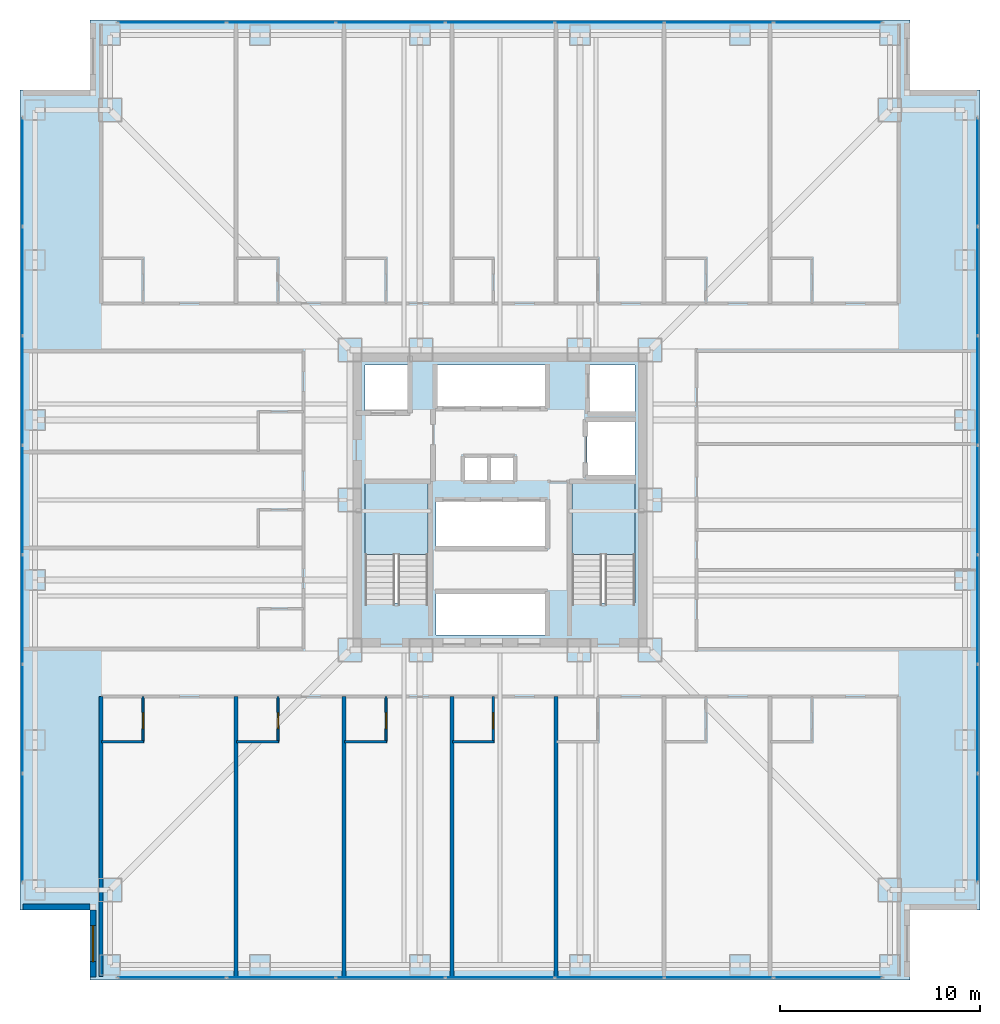
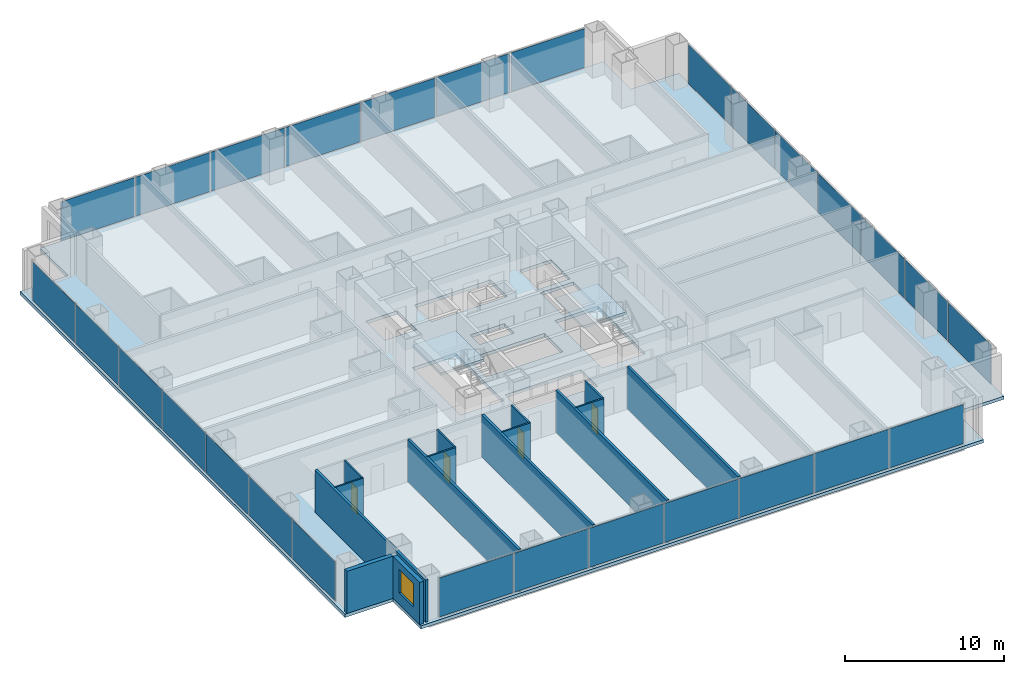
# One storey, part 10 of 17: 28 plates, 15 walls, 4 doors, 3 slabs, 1 window, 5 openings, 6 elements without a shape of their own.
"""IFC4 building model written with IfcOpenShell, lengths in metres."""

from ifc_helpers import new_model, si_unit, direction, frame, frame_2d, origin, origin_2d, place, context, subcontext, project, spatial, polyline, rectangle, outline, extrude, material, layer, layer_set, type_object, element, fill, aggregate, save


model = new_model("IFC4")

# Units and contexts
model_context = context("Model", 3, precision=1e-05, world=origin(), true_north=direction((0.0, 1.0)))
body_context = subcontext(model_context, "Body", "Model", "MODEL_VIEW")
ifc_project = project(units=[si_unit("LENGTHUNIT", "METRE"), si_unit("AREAUNIT", "SQUARE_METRE"), si_unit("VOLUMEUNIT", "CUBIC_METRE"), si_unit("PLANEANGLEUNIT", "RADIAN"), si_unit("MASSUNIT", "GRAM", prefix="KILO")], contexts=[model_context])

# Site, building, storey
site_placement = place(None, origin())
site = spatial("IfcSite", under=ifc_project, at=site_placement, CompositionType="ELEMENT")
building_placement = place(site_placement, origin())
building = spatial("IfcBuilding", under=site, at=building_placement, Name="Trevonay Congress Spire", CompositionType="ELEMENT")
storey_placement = place(building_placement, frame((0.0, 0.0, 30.5)))
storey = spatial("IfcBuildingStorey", under=building, at=storey_placement, Name="L06", CompositionType="ELEMENT", Elevation=30.5)

# Curtain wall, plates
ifc_material_1 = material(Name="Pale Anodised Aluminium EN AW-6063-T6", Category="aluminium")
ifc_layer_1 = layer(ifc_material_1, 0.179931640625, Name="Pale Anodised Aluminium EN AW-6063-T6")
ifc_layer_set_1 = layer_set([ifc_layer_1], Name="Pale Anodised Aluminium EN AW-6063-T6")
curtain_wall_type = type_object("IfcCurtainWallType", Name="CW-SYS02-HOTEL-PALE-METAL", PredefinedType="NOTDEFINED", material=ifc_layer_set_1)
curtain_wall_1_placement = place(storey_placement, origin())
curtain_wall_1 = element("IfcCurtainWall", 1, at=curtain_wall_1_placement, inside=storey, type_object=curtain_wall_type, Name="L06 S unitised curtain wall", PredefinedType="NOTDEFINED")
ifc_material_2 = material(Name="Insulated Low-E Vision Glass IGU", Category="glass")
ifc_layer_2 = layer(ifc_material_2, 0.035888671875, Name="Insulated Low-E Vision Glass IGU")
ifc_layer_set_2 = layer_set([ifc_layer_2], Name="Insulated Low-E Vision Glass IGU")
plate_type = type_object("IfcPlateType", Name="CW-PANEL-IGU36-SILVER", PredefinedType="CURTAIN_PANEL", material=ifc_layer_set_2)
plate_1_placement = place(storey_placement, frame((-16.399169921875, -23.8798828125, 0.1201171875), z_axis=(0.0, 0.0, 1.0), x_axis=(1.0, 0.0, 0.0)))
plate_1 = element("IfcPlate", 2, at=plate_1_placement, type_object=plate_type, Name="CW02 panel 1.1", PredefinedType="CURTAIN_PANEL", context=body_context, shape_type="SweptSolid", body=[
    extrude(rectangle(XDim=5.38134765625, YDim=0.035888671875, at=origin_2d()), origin(), (0.0, 0.0, 1.0), 3.010009765625),
])
plate_2_placement = place(storey_placement, frame((-10.94287109375, -23.8798828125, 0.1201171875), z_axis=(0.0, 0.0, 1.0), x_axis=(1.0, 0.0, 0.0)))
plate_2 = element("IfcPlate", 3, at=plate_2_placement, type_object=plate_type, Name="CW02 panel 2.1", PredefinedType="CURTAIN_PANEL", context=body_context, shape_type="SweptSolid", body=[
    extrude(rectangle(XDim=5.411376953125, YDim=0.035888671875, at=origin_2d()), origin(), (0.0, 0.0, 1.0), 3.010009765625),
])
plate_3_placement = place(storey_placement, frame((-5.471435546875, -23.8798828125, 0.1201171875), z_axis=(0.0, 0.0, 1.0), x_axis=(1.0, 0.0, 0.0)))
plate_3 = element("IfcPlate", 4, at=plate_3_placement, type_object=plate_type, Name="CW02 panel 3.1", PredefinedType="CURTAIN_PANEL", context=body_context, shape_type="SweptSolid", body=[
    extrude(rectangle(XDim=5.411376953125, YDim=0.035888671875, at=origin_2d()), origin(), (0.0, 0.0, 1.0), 3.010009765625),
])
plate_4_placement = place(storey_placement, frame((0.0, -23.8798828125, 0.1201171875), z_axis=(0.0, 0.0, 1.0), x_axis=(1.0, 0.0, 0.0)))
plate_4 = element("IfcPlate", 5, at=plate_4_placement, type_object=plate_type, Name="CW02 panel 4.1", PredefinedType="CURTAIN_PANEL", context=body_context, shape_type="SweptSolid", body=[
    extrude(rectangle(XDim=5.411376953125, YDim=0.035888671875, at=origin_2d()), origin(), (0.0, 0.0, 1.0), 3.010009765625),
])
plate_5_placement = place(storey_placement, frame((5.471435546875, -23.8798828125, 0.1201171875), z_axis=(0.0, 0.0, 1.0), x_axis=(1.0, 0.0, 0.0)))
plate_5 = element("IfcPlate", 6, at=plate_5_placement, type_object=plate_type, Name="CW02 panel 5.1", PredefinedType="CURTAIN_PANEL", context=body_context, shape_type="SweptSolid", body=[
    extrude(rectangle(XDim=5.411376953125, YDim=0.035888671875, at=origin_2d()), origin(), (0.0, 0.0, 1.0), 3.010009765625),
])
plate_6_placement = place(storey_placement, frame((10.94287109375, -23.8798828125, 0.1201171875), z_axis=(0.0, 0.0, 1.0), x_axis=(1.0, 0.0, 0.0)))
plate_6 = element("IfcPlate", 7, at=plate_6_placement, type_object=plate_type, Name="CW02 panel 6.1", PredefinedType="CURTAIN_PANEL", context=body_context, shape_type="SweptSolid", body=[
    extrude(rectangle(XDim=5.411376953125, YDim=0.035888671875, at=origin_2d()), origin(), (0.0, 0.0, 1.0), 3.010009765625),
])
plate_7_placement = place(storey_placement, frame((16.399169921875, -23.8798828125, 0.1201171875), z_axis=(0.0, 0.0, 1.0), x_axis=(1.0, 0.0, 0.0)))
plate_7 = element("IfcPlate", 8, at=plate_7_placement, type_object=plate_type, Name="CW02 panel 7.1", PredefinedType="CURTAIN_PANEL", context=body_context, shape_type="SweptSolid", body=[
    extrude(rectangle(XDim=5.38134765625, YDim=0.035888671875, at=origin_2d()), origin(), (0.0, 0.0, 1.0), 3.010009765625),
])
aggregate(curtain_wall_1, [plate_1, plate_2, plate_3, plate_4, plate_5, plate_6, plate_7])

curtain_wall_2_placement = place(storey_placement, origin())
curtain_wall_2 = element("IfcCurtainWall", 9, at=curtain_wall_2_placement, inside=storey, type_object=curtain_wall_type, Name="L06 N unitised curtain wall", PredefinedType="NOTDEFINED")
plate_8_placement = place(storey_placement, frame((-16.399169921875, 23.8798828125, 0.1201171875), z_axis=(0.0, 0.0, 1.0), x_axis=(1.0, 0.0, 0.0)))
plate_8 = element("IfcPlate", 10, at=plate_8_placement, type_object=plate_type, Name="CW02 panel 1.1", PredefinedType="CURTAIN_PANEL", context=body_context, shape_type="SweptSolid", body=[
    extrude(rectangle(XDim=5.38134765625, YDim=0.035888671875, at=origin_2d()), origin(), (0.0, 0.0, 1.0), 3.010009765625),
])
plate_9_placement = place(storey_placement, frame((-10.94287109375, 23.8798828125, 0.1201171875), z_axis=(0.0, 0.0, 1.0), x_axis=(1.0, 0.0, 0.0)))
plate_9 = element("IfcPlate", 11, at=plate_9_placement, type_object=plate_type, Name="CW02 panel 2.1", PredefinedType="CURTAIN_PANEL", context=body_context, shape_type="SweptSolid", body=[
    extrude(rectangle(XDim=5.411376953125, YDim=0.035888671875, at=origin_2d()), origin(), (0.0, 0.0, 1.0), 3.010009765625),
])
plate_10_placement = place(storey_placement, frame((-5.471435546875, 23.8798828125, 0.1201171875), z_axis=(0.0, 0.0, 1.0), x_axis=(1.0, 0.0, 0.0)))
plate_10 = element("IfcPlate", 12, at=plate_10_placement, type_object=plate_type, Name="CW02 panel 3.1", PredefinedType="CURTAIN_PANEL", context=body_context, shape_type="SweptSolid", body=[
    extrude(rectangle(XDim=5.411376953125, YDim=0.035888671875, at=origin_2d()), origin(), (0.0, 0.0, 1.0), 3.010009765625),
])
plate_11_placement = place(storey_placement, frame((0.0, 23.8798828125, 0.1201171875), z_axis=(0.0, 0.0, 1.0), x_axis=(1.0, 0.0, 0.0)))
plate_11 = element("IfcPlate", 13, at=plate_11_placement, type_object=plate_type, Name="CW02 panel 4.1", PredefinedType="CURTAIN_PANEL", context=body_context, shape_type="SweptSolid", body=[
    extrude(rectangle(XDim=5.411376953125, YDim=0.035888671875, at=origin_2d()), origin(), (0.0, 0.0, 1.0), 3.010009765625),
])
plate_12_placement = place(storey_placement, frame((5.471435546875, 23.8798828125, 0.1201171875), z_axis=(0.0, 0.0, 1.0), x_axis=(1.0, 0.0, 0.0)))
plate_12 = element("IfcPlate", 14, at=plate_12_placement, type_object=plate_type, Name="CW02 panel 5.1", PredefinedType="CURTAIN_PANEL", context=body_context, shape_type="SweptSolid", body=[
    extrude(rectangle(XDim=5.411376953125, YDim=0.035888671875, at=origin_2d()), origin(), (0.0, 0.0, 1.0), 3.010009765625),
])
plate_13_placement = place(storey_placement, frame((10.94287109375, 23.8798828125, 0.1201171875), z_axis=(0.0, 0.0, 1.0), x_axis=(1.0, 0.0, 0.0)))
plate_13 = element("IfcPlate", 15, at=plate_13_placement, type_object=plate_type, Name="CW02 panel 6.1", PredefinedType="CURTAIN_PANEL", context=body_context, shape_type="SweptSolid", body=[
    extrude(rectangle(XDim=5.411376953125, YDim=0.035888671875, at=origin_2d()), origin(), (0.0, 0.0, 1.0), 3.010009765625),
])
plate_14_placement = place(storey_placement, frame((16.399169921875, 23.8798828125, 0.1201171875), z_axis=(0.0, 0.0, 1.0), x_axis=(1.0, 0.0, 0.0)))
plate_14 = element("IfcPlate", 16, at=plate_14_placement, type_object=plate_type, Name="CW02 panel 7.1", PredefinedType="CURTAIN_PANEL", context=body_context, shape_type="SweptSolid", body=[
    extrude(rectangle(XDim=5.38134765625, YDim=0.035888671875, at=origin_2d()), origin(), (0.0, 0.0, 1.0), 3.010009765625),
])
aggregate(curtain_wall_2, [plate_8, plate_9, plate_10, plate_11, plate_12, plate_13, plate_14])

curtain_wall_3_placement = place(storey_placement, origin())
curtain_wall_3 = element("IfcCurtainWall", 17, at=curtain_wall_3_placement, inside=storey, type_object=curtain_wall_type, Name="L06 W unitised curtain wall", PredefinedType="NOTDEFINED")
plate_15_placement = place(storey_placement, frame((-23.8798828125, -16.399169921875, 0.1201171875), z_axis=(0.0, 0.0, 1.0), x_axis=(0.0, 1.0, 0.0)))
plate_15 = element("IfcPlate", 18, at=plate_15_placement, type_object=plate_type, Name="CW02 panel 1.1", PredefinedType="CURTAIN_PANEL", context=body_context, shape_type="SweptSolid", body=[
    extrude(rectangle(XDim=5.38134765625, YDim=0.035888671875, at=origin_2d()), origin(), (0.0, 0.0, 1.0), 3.010009765625),
])
plate_16_placement = place(storey_placement, frame((-23.8798828125, -10.94287109375, 0.1201171875), z_axis=(0.0, 0.0, 1.0), x_axis=(0.0, 1.0, 0.0)))
plate_16 = element("IfcPlate", 19, at=plate_16_placement, type_object=plate_type, Name="CW02 panel 2.1", PredefinedType="CURTAIN_PANEL", context=body_context, shape_type="SweptSolid", body=[
    extrude(rectangle(XDim=5.411376953125, YDim=0.035888671875, at=origin_2d()), origin(), (0.0, 0.0, 1.0), 3.010009765625),
])
plate_17_placement = place(storey_placement, frame((-23.8798828125, -5.471435546875, 0.1201171875), z_axis=(0.0, 0.0, 1.0), x_axis=(0.0, 1.0, 0.0)))
plate_17 = element("IfcPlate", 20, at=plate_17_placement, type_object=plate_type, Name="CW02 panel 3.1", PredefinedType="CURTAIN_PANEL", context=body_context, shape_type="SweptSolid", body=[
    extrude(rectangle(XDim=5.411376953125, YDim=0.035888671875, at=origin_2d()), origin(), (0.0, 0.0, 1.0), 3.010009765625),
])
plate_18_placement = place(storey_placement, frame((-23.8798828125, 0.0, 0.1201171875), z_axis=(0.0, 0.0, 1.0), x_axis=(0.0, 1.0, 0.0)))
plate_18 = element("IfcPlate", 21, at=plate_18_placement, type_object=plate_type, Name="CW02 panel 4.1", PredefinedType="CURTAIN_PANEL", context=body_context, shape_type="SweptSolid", body=[
    extrude(rectangle(XDim=5.411376953125, YDim=0.035888671875, at=origin_2d()), origin(), (0.0, 0.0, 1.0), 3.010009765625),
])
plate_19_placement = place(storey_placement, frame((-23.8798828125, 5.471435546875, 0.1201171875), z_axis=(0.0, 0.0, 1.0), x_axis=(0.0, 1.0, 0.0)))
plate_19 = element("IfcPlate", 22, at=plate_19_placement, type_object=plate_type, Name="CW02 panel 5.1", PredefinedType="CURTAIN_PANEL", context=body_context, shape_type="SweptSolid", body=[
    extrude(rectangle(XDim=5.411376953125, YDim=0.035888671875, at=origin_2d()), origin(), (0.0, 0.0, 1.0), 3.010009765625),
])
plate_20_placement = place(storey_placement, frame((-23.8798828125, 10.94287109375, 0.1201171875), z_axis=(0.0, 0.0, 1.0), x_axis=(0.0, 1.0, 0.0)))
plate_20 = element("IfcPlate", 23, at=plate_20_placement, type_object=plate_type, Name="CW02 panel 6.1", PredefinedType="CURTAIN_PANEL", context=body_context, shape_type="SweptSolid", body=[
    extrude(rectangle(XDim=5.411376953125, YDim=0.035888671875, at=origin_2d()), origin(), (0.0, 0.0, 1.0), 3.010009765625),
])
plate_21_placement = place(storey_placement, frame((-23.8798828125, 16.399169921875, 0.1201171875), z_axis=(0.0, 0.0, 1.0), x_axis=(0.0, 1.0, 0.0)))
plate_21 = element("IfcPlate", 24, at=plate_21_placement, type_object=plate_type, Name="CW02 panel 7.1", PredefinedType="CURTAIN_PANEL", context=body_context, shape_type="SweptSolid", body=[
    extrude(rectangle(XDim=5.38134765625, YDim=0.035888671875, at=origin_2d()), origin(), (0.0, 0.0, 1.0), 3.010009765625),
])
aggregate(curtain_wall_3, [plate_15, plate_16, plate_17, plate_18, plate_19, plate_20, plate_21])

curtain_wall_4_placement = place(storey_placement, origin())
curtain_wall_4 = element("IfcCurtainWall", 25, at=curtain_wall_4_placement, inside=storey, type_object=curtain_wall_type, Name="L06 E unitised curtain wall", PredefinedType="NOTDEFINED")
plate_22_placement = place(storey_placement, frame((23.8798828125, -16.399169921875, 0.1201171875), z_axis=(0.0, 0.0, 1.0), x_axis=(0.0, 1.0, 0.0)))
plate_22 = element("IfcPlate", 26, at=plate_22_placement, type_object=plate_type, Name="CW02 panel 1.1", PredefinedType="CURTAIN_PANEL", context=body_context, shape_type="SweptSolid", body=[
    extrude(rectangle(XDim=5.38134765625, YDim=0.035888671875, at=origin_2d()), origin(), (0.0, 0.0, 1.0), 3.010009765625),
])
plate_23_placement = place(storey_placement, frame((23.8798828125, -10.94287109375, 0.1201171875), z_axis=(0.0, 0.0, 1.0), x_axis=(0.0, 1.0, 0.0)))
plate_23 = element("IfcPlate", 27, at=plate_23_placement, type_object=plate_type, Name="CW02 panel 2.1", PredefinedType="CURTAIN_PANEL", context=body_context, shape_type="SweptSolid", body=[
    extrude(rectangle(XDim=5.411376953125, YDim=0.035888671875, at=origin_2d()), origin(), (0.0, 0.0, 1.0), 3.010009765625),
])
plate_24_placement = place(storey_placement, frame((23.8798828125, -5.471435546875, 0.1201171875), z_axis=(0.0, 0.0, 1.0), x_axis=(0.0, 1.0, 0.0)))
plate_24 = element("IfcPlate", 28, at=plate_24_placement, type_object=plate_type, Name="CW02 panel 3.1", PredefinedType="CURTAIN_PANEL", context=body_context, shape_type="SweptSolid", body=[
    extrude(rectangle(XDim=5.411376953125, YDim=0.035888671875, at=origin_2d()), origin(), (0.0, 0.0, 1.0), 3.010009765625),
])
plate_25_placement = place(storey_placement, frame((23.8798828125, 0.0, 0.1201171875), z_axis=(0.0, 0.0, 1.0), x_axis=(0.0, 1.0, 0.0)))
plate_25 = element("IfcPlate", 29, at=plate_25_placement, type_object=plate_type, Name="CW02 panel 4.1", PredefinedType="CURTAIN_PANEL", context=body_context, shape_type="SweptSolid", body=[
    extrude(rectangle(XDim=5.411376953125, YDim=0.035888671875, at=origin_2d()), origin(), (0.0, 0.0, 1.0), 3.010009765625),
])
plate_26_placement = place(storey_placement, frame((23.8798828125, 5.471435546875, 0.1201171875), z_axis=(0.0, 0.0, 1.0), x_axis=(0.0, 1.0, 0.0)))
plate_26 = element("IfcPlate", 30, at=plate_26_placement, type_object=plate_type, Name="CW02 panel 5.1", PredefinedType="CURTAIN_PANEL", context=body_context, shape_type="SweptSolid", body=[
    extrude(rectangle(XDim=5.411376953125, YDim=0.035888671875, at=origin_2d()), origin(), (0.0, 0.0, 1.0), 3.010009765625),
])
plate_27_placement = place(storey_placement, frame((23.8798828125, 10.94287109375, 0.1201171875), z_axis=(0.0, 0.0, 1.0), x_axis=(0.0, 1.0, 0.0)))
plate_27 = element("IfcPlate", 31, at=plate_27_placement, type_object=plate_type, Name="CW02 panel 6.1", PredefinedType="CURTAIN_PANEL", context=body_context, shape_type="SweptSolid", body=[
    extrude(rectangle(XDim=5.411376953125, YDim=0.035888671875, at=origin_2d()), origin(), (0.0, 0.0, 1.0), 3.010009765625),
])
plate_28_placement = place(storey_placement, frame((23.8798828125, 16.399169921875, 0.1201171875), z_axis=(0.0, 0.0, 1.0), x_axis=(0.0, 1.0, 0.0)))
plate_28 = element("IfcPlate", 32, at=plate_28_placement, type_object=plate_type, Name="CW02 panel 7.1", PredefinedType="CURTAIN_PANEL", context=body_context, shape_type="SweptSolid", body=[
    extrude(rectangle(XDim=5.38134765625, YDim=0.035888671875, at=origin_2d()), origin(), (0.0, 0.0, 1.0), 3.010009765625),
])
aggregate(curtain_wall_4, [plate_22, plate_23, plate_24, plate_25, plate_26, plate_27, plate_28])

# Stair, slab
ifc_material_3 = material(Name="Concrete C40/50", Category="concrete")
stair_type_1 = type_object("IfcStairType", Name="STR-ST-1", PredefinedType="HALF_TURN_STAIR", material=ifc_material_3)
stair_1_placement = place(storey_placement, origin())
stair_1 = element("IfcStair", 33, at=stair_1_placement, inside=storey, type_object=stair_type_1, Name="L06 Protected Exit Stair ST-1", PredefinedType="HALF_TURN_STAIR")
ifc_layer_3 = layer(ifc_material_3, 0.199951171875, Name="Concrete C40/50")
ifc_layer_set_3 = layer_set([ifc_layer_3], Name="Concrete C40/50")
slab_type_1 = type_object("IfcSlabType", Name="SLB-STAIR-LAND-200", PredefinedType="LANDING", material=ifc_layer_set_3)
slab_1_placement = place(storey_placement, frame((0.0, 0.0, 1.550048828125)))
slab_1 = element("IfcSlab", 34, at=slab_1_placement, type_object=slab_type_1, Name="ST-1 landing 1", PredefinedType="LANDING", context=body_context, shape_type="SweptSolid", body=[
    extrude(outline(polyline([(-3.60009765625, -2.72998046875), (-3.60009765625, 0.85009765625), (-6.75, 0.85009765625), (-6.75, -2.72998046875), (-3.60009765625, -2.72998046875)])), origin(), (0.0, 0.0, 1.0), 0.199951171875),
])
aggregate(stair_1, [slab_1])

stair_type_2 = type_object("IfcStairType", Name="STR-ST-2", PredefinedType="HALF_TURN_STAIR", material=ifc_material_3)
stair_2_placement = place(storey_placement, origin())
stair_2 = element("IfcStair", 35, at=stair_2_placement, inside=storey, type_object=stair_type_2, Name="L06 Protected Exit Stair ST-2", PredefinedType="HALF_TURN_STAIR")
slab_2_placement = place(storey_placement, frame((0.0, 0.0, 1.550048828125)))
slab_2 = element("IfcSlab", 36, at=slab_2_placement, type_object=slab_type_1, Name="ST-2 landing 1", PredefinedType="LANDING", context=body_context, shape_type="SweptSolid", body=[
    extrude(outline(polyline([(6.75, -2.72998046875), (6.75, 0.85009765625), (3.60009765625, 0.85009765625), (3.60009765625, -2.72998046875), (6.75, -2.72998046875)])), origin(), (0.0, 0.0, 1.0), 0.199951171875),
])
aggregate(stair_2, [slab_2])

# Slab
ifc_layer_4 = layer(ifc_material_3, 0.25, Name="Concrete C40/50")
ifc_layer_set_4 = layer_set([ifc_layer_4], Name="Concrete C40/50")
slab_type_2 = type_object("IfcSlabType", Name="SLB-TOW1-250", PredefinedType="FLOOR", material=ifc_layer_set_4)
slab_3_placement = place(storey_placement, frame((0.0, 0.0, -0.25)))
element("IfcSlab", 37, at=slab_3_placement, inside=storey, type_object=slab_type_2, Name="L06 structural floor slab", PredefinedType="FLOOR", context=body_context, shape_type="SweptSolid", body=[
    extrude(outline(polyline([(-20.5, -24.0), (20.5, -24.0), (20.5, -20.5), (24.0, -20.5), (24.0, 20.5), (20.5, 20.5), (20.5, 24.0), (-20.5, 24.0), (-20.5, 20.5), (-24.0, 20.5), (-24.0, -20.5), (-20.5, -20.5), (-20.5, -24.0)]), holes=[polyline([(-3.60009765625, -5.14990234375), (-3.60009765625, 0.85009765625), (-6.75, 0.85009765625), (-6.75, -5.14990234375), (-3.60009765625, -5.14990234375)]), polyline([(6.75, -5.14990234375), (6.75, 0.85009765625), (3.60009765625, 0.85009765625), (3.60009765625, -5.14990234375), (6.75, -5.14990234375)]), polyline([(-3.199951171875, -6.75), (2.340087890625, -6.75), (2.340087890625, -4.64990234375), (-3.199951171875, -4.64990234375), (-3.199951171875, -6.75)]), polyline([(-3.199951171875, -2.35009765625), (2.340087890625, -2.35009765625), (2.340087890625, -0.050048828125), (-3.199951171875, -0.050048828125), (-3.199951171875, -2.35009765625)]), polyline([(-3.199951171875, 4.64990234375), (2.340087890625, 4.64990234375), (2.340087890625, 6.75), (-3.199951171875, 6.75), (-3.199951171875, 4.64990234375)]), polyline([(-6.75, 4.35009765625), (-4.449951171875, 4.35009765625), (-4.449951171875, 6.75), (-6.75, 6.75), (-6.75, 4.35009765625)]), polyline([(4.449951171875, 4.35009765625), (6.75, 4.35009765625), (6.75, 6.75), (4.449951171875, 6.75), (4.449951171875, 4.35009765625)]), polyline([(4.35009765625, 1.199951171875), (6.75, 1.199951171875), (6.75, 3.949951171875), (4.35009765625, 3.949951171875), (4.35009765625, 1.199951171875)]), polyline([(-1.800048828125, 0.949951171875), (0.699951171875, 0.949951171875), (0.699951171875, 2.14990234375), (-1.800048828125, 2.14990234375), (-1.800048828125, 0.949951171875)])]), origin(), (0.0, 0.0, 1.0), 0.25),
])

# Wall, opening, door
ifc_layer_5 = layer(ifc_material_3, 0.1201171875, Name="Concrete C40/50")
ifc_layer_set_5 = layer_set([ifc_layer_5], Name="Concrete C40/50")
wall_type_1 = type_object("IfcWallType", Name="WAL-BATH-120", PredefinedType="PLUMBINGWALL", material=ifc_layer_set_5)
wall_1_placement = place(storey_placement, frame((-17.85009765625, -12.080078125, 0.0), z_axis=(0.0, 0.0, 1.0), x_axis=(0.0, 1.0, 0.0)))
wall_1 = element("IfcWall", 38, at=wall_1_placement, inside=storey, type_object=wall_type_1, Name="L06 interior wall WH-L06S-BS1", PredefinedType="PLUMBINGWALL", context=body_context, shape_type="SweptSolid", body=[
    extrude(rectangle(XDim=2.25, YDim=0.1201171875, at=frame_2d((1.125, 0.0))), origin(), (0.0, 0.0, 1.0), 3.25),
])
opening_1_placement = place(wall_1_placement, frame((0.64990234375, 0.0, 0.0)))
opening_1 = element("IfcOpeningElement", 39, at=opening_1_placement, cuts=wall_1, Name="Opening D11", PredefinedType="OPENING", context=body_context, shape_type="SweptSolid", body=[
    extrude(rectangle(XDim=0.800048828125, YDim=2.050048828125, at=frame_2d((0.39990234375, 1.02490234375))), frame((0.0, 0.070068359375, 0.0), z_axis=(0.0, -1.0, 0.0), x_axis=(1.0, 0.0, 0.0)), (0.0, 0.0, 1.0), 0.14013671875),
])
door_type = type_object("IfcDoorType", Name="DOR-BATH-80", OperationType="NOTDEFINED", PredefinedType="DOOR", material=ifc_material_1)
door_1_placement = place(opening_1_placement, origin())
door_1 = element("IfcDoor", 40, at=door_1_placement, inside=storey, type_object=door_type, Name="L06 En-suite Bathroom Door", OperationType="SINGLE_SWING_LEFT", OverallHeight=2.050048828125, OverallWidth=0.800048828125, PredefinedType="DOOR", context=body_context, shape_type="SweptSolid", body=[
    extrude(rectangle(XDim=0.800048828125, YDim=2.050048828125, at=frame_2d((0.39990234375, 1.02490234375))), frame((0.0, 0.02490234375, 0.0), z_axis=(0.0, -1.0, 0.0), x_axis=(1.0, 0.0, 0.0)), (0.0, 0.0, 1.0), 0.050048828125),
])
fill(opening_1, door_1)

# Wall
wall_2_placement = place(storey_placement, frame((-19.919921875, -12.080078125, 0.0), z_axis=(0.0, 0.0, 1.0), x_axis=(1.0, 0.0, 0.0)))
element("IfcWall", 41, at=wall_2_placement, inside=storey, type_object=wall_type_1, Name="L06 interior wall WH-L06S-BF1", PredefinedType="PLUMBINGWALL", context=body_context, shape_type="SweptSolid", body=[
    extrude(rectangle(XDim=2.099853515625, YDim=0.1201171875, at=frame_2d((1.0498046875, 0.0))), origin(), (0.0, 0.0, 1.0), 3.25),
])

# Wall, opening, door
wall_3_placement = place(storey_placement, frame((-11.10009765625, -12.080078125, 0.0), z_axis=(0.0, 0.0, 1.0), x_axis=(0.0, 1.0, 0.0)))
wall_3 = element("IfcWall", 42, at=wall_3_placement, inside=storey, type_object=wall_type_1, Name="L06 interior wall WH-L06S-BS2", PredefinedType="PLUMBINGWALL", context=body_context, shape_type="SweptSolid", body=[
    extrude(rectangle(XDim=2.25, YDim=0.1201171875, at=frame_2d((1.125, 0.0))), origin(), (0.0, 0.0, 1.0), 3.25),
])
opening_2_placement = place(wall_3_placement, frame((0.64990234375, 0.0, 0.0)))
opening_2 = element("IfcOpeningElement", 43, at=opening_2_placement, cuts=wall_3, Name="Opening D11", PredefinedType="OPENING", context=body_context, shape_type="SweptSolid", body=[
    extrude(rectangle(XDim=0.800048828125, YDim=2.050048828125, at=frame_2d((0.39990234375, 1.02490234375))), frame((0.0, 0.070068359375, 0.0), z_axis=(0.0, -1.0, 0.0), x_axis=(1.0, 0.0, 0.0)), (0.0, 0.0, 1.0), 0.14013671875),
])
door_2_placement = place(opening_2_placement, origin())
door_2 = element("IfcDoor", 44, at=door_2_placement, inside=storey, type_object=door_type, Name="L06 En-suite Bathroom Door", OperationType="SINGLE_SWING_RIGHT", OverallHeight=2.050048828125, OverallWidth=0.800048828125, PredefinedType="DOOR", context=body_context, shape_type="SweptSolid", body=[
    extrude(rectangle(XDim=0.800048828125, YDim=2.050048828125, at=frame_2d((0.39990234375, 1.02490234375))), frame((0.0, 0.02490234375, 0.0), z_axis=(0.0, -1.0, 0.0), x_axis=(1.0, 0.0, 0.0)), (0.0, 0.0, 1.0), 0.050048828125),
])
fill(opening_2, door_2)

# Wall
wall_4_placement = place(storey_placement, frame((-13.169921875, -12.080078125, 0.0), z_axis=(0.0, 0.0, 1.0), x_axis=(1.0, 0.0, 0.0)))
element("IfcWall", 45, at=wall_4_placement, inside=storey, type_object=wall_type_1, Name="L06 interior wall WH-L06S-BF2", PredefinedType="PLUMBINGWALL", context=body_context, shape_type="SweptSolid", body=[
    extrude(rectangle(XDim=2.099853515625, YDim=0.1201171875, at=frame_2d((1.0498046875, 0.0))), origin(), (0.0, 0.0, 1.0), 3.25),
])

# Wall, opening, door
wall_5_placement = place(storey_placement, frame((-5.699951171875, -12.080078125, 0.0), z_axis=(0.0, 0.0, 1.0), x_axis=(0.0, 1.0, 0.0)))
wall_5 = element("IfcWall", 46, at=wall_5_placement, inside=storey, type_object=wall_type_1, Name="L06 interior wall WH-L06S-BS3", PredefinedType="PLUMBINGWALL", context=body_context, shape_type="SweptSolid", body=[
    extrude(rectangle(XDim=2.25, YDim=0.1201171875, at=frame_2d((1.125, 0.0))), origin(), (0.0, 0.0, 1.0), 3.25),
])
opening_3_placement = place(wall_5_placement, frame((0.64990234375, 0.0, 0.0)))
opening_3 = element("IfcOpeningElement", 47, at=opening_3_placement, cuts=wall_5, Name="Opening D11", PredefinedType="OPENING", context=body_context, shape_type="SweptSolid", body=[
    extrude(rectangle(XDim=0.800048828125, YDim=2.050048828125, at=frame_2d((0.39990234375, 1.02490234375))), frame((0.0, 0.070068359375, 0.0), z_axis=(0.0, -1.0, 0.0), x_axis=(1.0, 0.0, 0.0)), (0.0, 0.0, 1.0), 0.14013671875),
])
door_3_placement = place(opening_3_placement, origin())
door_3 = element("IfcDoor", 48, at=door_3_placement, inside=storey, type_object=door_type, Name="L06 En-suite Bathroom Door", OperationType="SINGLE_SWING_LEFT", OverallHeight=2.050048828125, OverallWidth=0.800048828125, PredefinedType="DOOR", context=body_context, shape_type="SweptSolid", body=[
    extrude(rectangle(XDim=0.800048828125, YDim=2.050048828125, at=frame_2d((0.39990234375, 1.02490234375))), frame((0.0, 0.02490234375, 0.0), z_axis=(0.0, -1.0, 0.0), x_axis=(1.0, 0.0, 0.0)), (0.0, 0.0, 1.0), 0.050048828125),
])
fill(opening_3, door_3)

# Wall
wall_6_placement = place(storey_placement, frame((-7.77001953125, -12.080078125, 0.0), z_axis=(0.0, 0.0, 1.0), x_axis=(1.0, 0.0, 0.0)))
element("IfcWall", 49, at=wall_6_placement, inside=storey, type_object=wall_type_1, Name="L06 interior wall WH-L06S-BF3", PredefinedType="PLUMBINGWALL", context=body_context, shape_type="SweptSolid", body=[
    extrude(rectangle(XDim=2.10009765625, YDim=0.1201171875, at=frame_2d((1.050048828125, 0.0))), origin(), (0.0, 0.0, 1.0), 3.25),
])

# Wall, opening, door
wall_7_placement = place(storey_placement, frame((-0.3349609375, -12.080078125, 0.0), z_axis=(0.0, 0.0, 1.0), x_axis=(0.0, 1.0, 0.0)))
wall_7 = element("IfcWall", 50, at=wall_7_placement, inside=storey, type_object=wall_type_1, Name="L06 interior wall WH-L06S-BS4", PredefinedType="PLUMBINGWALL", context=body_context, shape_type="SweptSolid", body=[
    extrude(rectangle(XDim=2.25, YDim=0.1201171875, at=frame_2d((1.125, 0.0))), origin(), (0.0, 0.0, 1.0), 3.25),
])
opening_4_placement = place(wall_7_placement, frame((0.64990234375, 0.0, 0.0)))
opening_4 = element("IfcOpeningElement", 51, at=opening_4_placement, cuts=wall_7, Name="Opening D11", PredefinedType="OPENING", context=body_context, shape_type="SweptSolid", body=[
    extrude(rectangle(XDim=0.800048828125, YDim=2.050048828125, at=frame_2d((0.39990234375, 1.02490234375))), frame((0.0, 0.070068359375, 0.0), z_axis=(0.0, -1.0, 0.0), x_axis=(1.0, 0.0, 0.0)), (0.0, 0.0, 1.0), 0.14013671875),
])
door_4_placement = place(opening_4_placement, origin())
door_4 = element("IfcDoor", 52, at=door_4_placement, inside=storey, type_object=door_type, Name="L06 En-suite Bathroom Door", OperationType="SINGLE_SWING_RIGHT", OverallHeight=2.050048828125, OverallWidth=0.800048828125, PredefinedType="DOOR", context=body_context, shape_type="SweptSolid", body=[
    extrude(rectangle(XDim=0.800048828125, YDim=2.050048828125, at=frame_2d((0.39990234375, 1.02490234375))), frame((0.0, 0.02490234375, 0.0), z_axis=(0.0, -1.0, 0.0), x_axis=(1.0, 0.0, 0.0)), (0.0, 0.0, 1.0), 0.050048828125),
])
fill(opening_4, door_4)

# Wall
wall_8_placement = place(storey_placement, frame((-2.3701171875, -12.080078125, 0.0), z_axis=(0.0, 0.0, 1.0), x_axis=(1.0, 0.0, 0.0)))
element("IfcWall", 53, at=wall_8_placement, inside=storey, type_object=wall_type_1, Name="L06 interior wall WH-L06S-BF4", PredefinedType="PLUMBINGWALL", context=body_context, shape_type="SweptSolid", body=[
    extrude(rectangle(XDim=2.065185546875, YDim=0.1201171875, at=frame_2d((1.03271484375, 0.0))), origin(), (0.0, 0.0, 1.0), 3.25),
])

# Wall, opening, window
ifc_material_4 = material(Name="Precast concrete C40/50", Category="concrete")
ifc_layer_6 = layer(ifc_material_4, 0.300048828125, Name="Precast concrete C40/50")
ifc_layer_set_6 = layer_set([ifc_layer_6], Name="Precast concrete C40/50")
wall_type_2 = type_object("IfcWallType", Name="WAL-EXT-PRECAST-300", PredefinedType="SOLIDWALL", material=ifc_layer_set_6)
wall_9_placement = place(storey_placement, frame((-20.35009765625, -23.85009765625, 0.0), z_axis=(0.0, 0.0, 1.0), x_axis=(0.0, 1.0, 0.0)))
wall_9 = element("IfcWall", 54, at=wall_9_placement, inside=storey, type_object=wall_type_2, Name="L06 SW re-entrant notch exterior wall 1", PredefinedType="SOLIDWALL", context=body_context, shape_type="SweptSolid", body=[
    extrude(rectangle(XDim=3.35009765625, YDim=0.300048828125, at=frame_2d((1.675048828125, 0.0))), origin(), (0.0, 0.0, 1.0), 3.25),
])
opening_5_placement = place(wall_9_placement, frame((0.77490234375, 0.0, 0.89990234375)))
opening_5 = element("IfcOpeningElement", 55, at=opening_5_placement, cuts=wall_9, Name="Opening WN01", PredefinedType="OPENING", context=body_context, shape_type="SweptSolid", body=[
    extrude(rectangle(XDim=1.800048828125, YDim=1.800048828125, at=frame_2d((0.89990234375, 0.89990234375))), frame((0.0, 0.16015625, 0.0), z_axis=(0.0, -1.0, 0.0), x_axis=(1.0, 0.0, 0.0)), (0.0, 0.0, 1.0), 0.320068359375),
])
window_type = type_object("IfcWindowType", Name="WIN-HOTEL-180X180", PartitioningType="SINGLE_PANEL", PredefinedType="WINDOW", material=ifc_material_2)
window_placement = place(opening_5_placement, origin())
window = element("IfcWindow", 56, at=window_placement, inside=storey, type_object=window_type, Name="L06 SW corner notch window", OverallHeight=1.800048828125, OverallWidth=1.800048828125, PartitioningType="SINGLE_PANEL", PredefinedType="WINDOW", context=body_context, shape_type="SweptSolid", body=[
    extrude(rectangle(XDim=1.800048828125, YDim=1.800048828125, at=frame_2d((0.89990234375, 0.89990234375))), frame((0.0, 0.030029296875, 0.0), z_axis=(0.0, -1.0, 0.0), x_axis=(1.0, 0.0, 0.0)), (0.0, 0.0, 1.0), 0.06005859375),
])
fill(opening_5, window)

# Walls
wall_10_placement = place(storey_placement, frame((-23.85009765625, -20.35009765625, 0.0), z_axis=(0.0, 0.0, 1.0), x_axis=(1.0, 0.0, 0.0)))
element("IfcWall", 57, at=wall_10_placement, inside=storey, type_object=wall_type_2, Name="L06 SW re-entrant notch exterior wall 2", PredefinedType="SOLIDWALL", context=body_context, shape_type="SweptSolid", body=[
    extrude(rectangle(XDim=3.35009765625, YDim=0.300048828125, at=frame_2d((1.675048828125, 0.0))), origin(), (0.0, 0.0, 1.0), 3.25),
])
ifc_layer_7 = layer(ifc_material_3, 0.179931640625, Name="Concrete C40/50")
ifc_layer_set_7 = layer_set([ifc_layer_7], Name="Concrete C40/50")
wall_type_3 = type_object("IfcWallType", Name="WAL-HOTEL-180", PredefinedType="PARTITIONING", material=ifc_layer_set_7)
for number, where, z_axis, x_axis, name in (
    (58, (-19.949951171875, -23.820068359375, 0.0), (0.0, 0.0, 1.0), (0.0, 1.0, 0.0), "L06 interior wall WH-L06S-DIV1"),
    (59, (-13.199951171875, -23.820068359375, 0.0), (0.0, 0.0, 1.0), (0.0, 1.0, 0.0), "L06 interior wall WH-L06S-DIV2"),
    (60, (-7.800048828125, -23.820068359375, 0.0), (0.0, 0.0, 1.0), (0.0, 1.0, 0.0), "L06 interior wall WH-L06S-DIV3"),
    (61, (-2.39990234375, -23.820068359375, 0.0), (0.0, 0.0, 1.0), (0.0, 1.0, 0.0), "L06 interior wall WH-L06S-DIV4"),
    (62, (2.800048828125, -23.820068359375, 0.0), (0.0, 0.0, 1.0), (0.0, 1.0, 0.0), "L06 interior wall WH-L06S-DIV5"),
):
    element("IfcWall", number, at=place(storey_placement, frame(where, z_axis=z_axis, x_axis=x_axis)), inside=storey, type_object=wall_type_3, Name=name, PredefinedType="PARTITIONING", context=body_context, shape_type="SweptSolid", body=[
        extrude(rectangle(XDim=13.989990234375, YDim=0.179931640625, at=frame_2d((6.9951171875, 0.0))), origin(), (0.0, 0.0, 1.0), 3.25),
    ])

save(model, "model.ifc")
